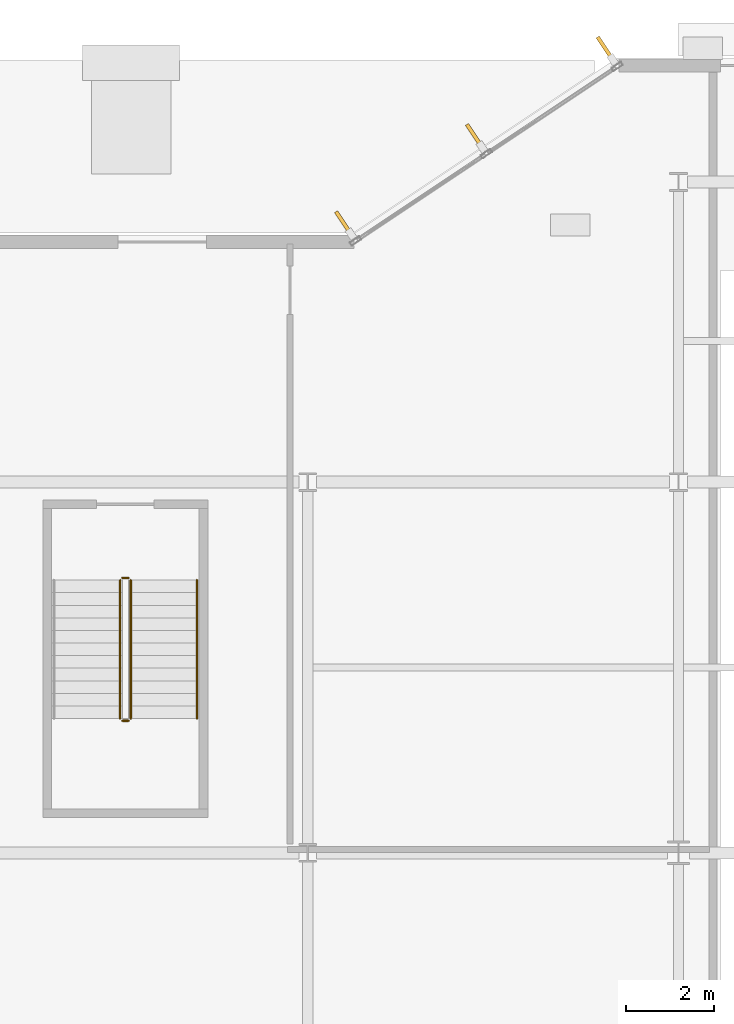
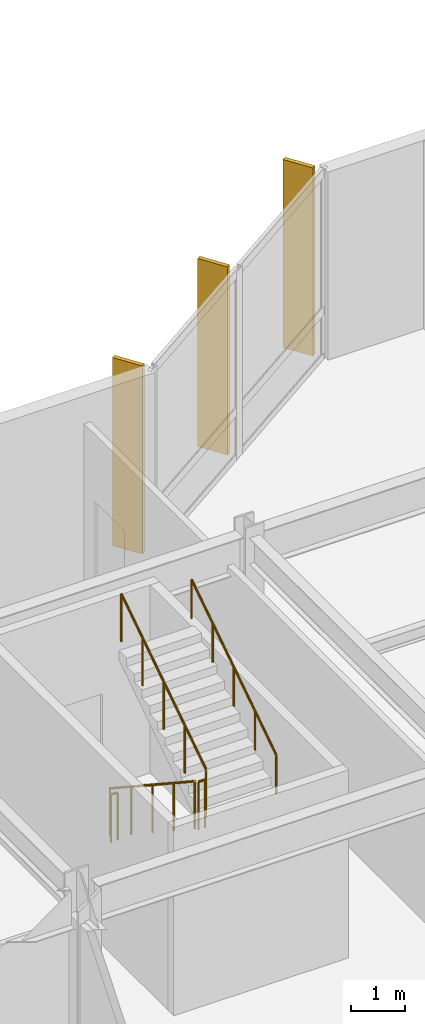
# One storey, part 23 of 26: 5 railings, 3 shading devices.
"""IFC4 building model written with IfcOpenShell, lengths in metres."""

from ifc_helpers import new_model, si_unit, direction, frame, origin, origin_2d, place, context, subcontext, project, spatial, rectangle, circle, extrude, material, layer, layer_set, type_object, element, save


model = new_model("IFC4")

# Units and contexts
model_context = context("Model", 3, precision=1e-05, world=origin(), true_north=direction((0.0, 1.0)))
body_context = subcontext(model_context, "Body", "Model", "MODEL_VIEW")
ifc_project = project(units=[si_unit("LENGTHUNIT", "METRE"), si_unit("AREAUNIT", "SQUARE_METRE"), si_unit("VOLUMEUNIT", "CUBIC_METRE"), si_unit("PLANEANGLEUNIT", "RADIAN"), si_unit("MASSUNIT", "GRAM", prefix="KILO")], contexts=[model_context])

# Site, building, storey
site_placement = place(None, origin())
site = spatial("IfcSite", under=ifc_project, at=site_placement, CompositionType="ELEMENT")
building_placement = place(site_placement, origin())
building = spatial("IfcBuilding", under=site, at=building_placement, Name="Varnakote Quay Hospital", CompositionType="ELEMENT")
storey_placement = place(building_placement, origin())
storey = spatial("IfcBuildingStorey", under=building, at=storey_placement, Name="L00", CompositionType="ELEMENT", Elevation=0.0)

# Railings
ifc_material_1 = material(Name="Brushed stainless steel balustrade", Category="steel")
railing_type_1 = type_object("IfcRailingType", Name="RLG-STAIR-GUARD-1150", PredefinedType="GUARDRAIL", material=ifc_material_1)
railing_1_placement = place(storey_placement, frame((37.75, 34.97998046875, 0.1875)))
element("IfcRailing", 1, at=railing_1_placement, inside=storey, type_object=railing_type_1, Name="L00 ST-05 stair guard 1", PredefinedType="GUARDRAIL", context=body_context, shape_type="SweptSolid", body=[
    extrude(circle(Radius=0.02392578125, at=origin_2d()), frame((0.0, 0.0, 1.076171875), z_axis=(0.0, -0.835417868355, 0.549615306585), x_axis=(1.0, 0.0, 0.0)), (0.0, 0.0, 1.0), 3.752685546875),
    extrude(circle(Radius=0.02099609375, at=origin_2d()), origin(), (0.0, 0.0, 1.0), 1.052001953125),
    extrude(circle(Radius=0.02099609375, at=origin_2d()), frame((0.0, -0.78369140625, 0.515625)), (0.0, 0.0, 1.0), 1.052001953125),
    extrude(circle(Radius=0.02099609375, at=origin_2d()), frame((0.0, -1.5673828125, 1.03125)), (0.0, 0.0, 1.0), 1.052001953125),
    extrude(circle(Radius=0.02099609375, at=origin_2d()), frame((0.0, -2.351318359375, 1.546875)), (0.0, 0.0, 1.0), 1.052001953125),
    extrude(circle(Radius=0.02099609375, at=origin_2d()), frame((0.0, -3.135009765625, 2.0625)), (0.0, 0.0, 1.0), 1.052001953125),
])
railing_2_placement = place(storey_placement, frame((37.800048828125, 31.794921875, 2.25)))
element("IfcRailing", 2, at=railing_2_placement, inside=storey, type_object=railing_type_1, Name="L00 ST-05 stair guard 2", PredefinedType="GUARDRAIL", context=body_context, shape_type="SweptSolid", body=[
    extrude(circle(Radius=0.02392578125, at=origin_2d()), frame((0.0, 0.0, 1.076171875), z_axis=(1.0, 0.0, 0.0), x_axis=(0.0, 1.0, 0.0)), (0.0, 0.0, 1.0), 0.139892578125),
    extrude(circle(Radius=0.02099609375, at=origin_2d()), origin(), (0.0, 0.0, 1.0), 1.052001953125),
    extrude(circle(Radius=0.02099609375, at=origin_2d()), frame((0.139892578125, 0.0, 0.0)), (0.0, 0.0, 1.0), 1.052001953125),
])
railing_3_placement = place(storey_placement, frame((37.989990234375, 31.844970703125, 2.4375)))
element("IfcRailing", 3, at=railing_3_placement, inside=storey, type_object=railing_type_1, Name="L00 ST-05 stair guard 3", PredefinedType="GUARDRAIL", context=body_context, shape_type="SweptSolid", body=[
    extrude(circle(Radius=0.02392578125, at=origin_2d()), frame((0.0, 0.0, 1.076171875), z_axis=(0.0, 0.835417868355, 0.549615306585), x_axis=(-1.0, 0.0, 0.0)), (0.0, 0.0, 1.0), 3.752685546875),
    extrude(circle(Radius=0.02099609375, at=origin_2d()), origin(), (0.0, 0.0, 1.0), 1.052001953125),
    extrude(circle(Radius=0.02099609375, at=origin_2d()), frame((0.0, 0.78369140625, 0.515625)), (0.0, 0.0, 1.0), 1.052001953125),
    extrude(circle(Radius=0.02099609375, at=origin_2d()), frame((0.0, 1.5673828125, 1.03125)), (0.0, 0.0, 1.0), 1.052001953125),
    extrude(circle(Radius=0.02099609375, at=origin_2d()), frame((0.0, 2.351318359375, 1.546875)), (0.0, 0.0, 1.0), 1.052001953125),
    extrude(circle(Radius=0.02099609375, at=origin_2d()), frame((0.0, 3.135009765625, 2.0625)), (0.0, 0.0, 1.0), 1.052001953125),
])
railing_4_placement = place(storey_placement, frame((37.800048828125, 35.030029296875, 0.0)))
element("IfcRailing", 4, at=railing_4_placement, inside=storey, type_object=railing_type_1, Name="L00 ST-05 stair guard 4", PredefinedType="GUARDRAIL", context=body_context, shape_type="SweptSolid", body=[
    extrude(circle(Radius=0.02392578125, at=origin_2d()), frame((0.0, 0.0, 1.076171875), z_axis=(1.0, 0.0, 0.0), x_axis=(0.0, 1.0, 0.0)), (0.0, 0.0, 1.0), 0.139892578125),
    extrude(circle(Radius=0.02099609375, at=origin_2d()), origin(), (0.0, 0.0, 1.0), 1.052001953125),
    extrude(circle(Radius=0.02099609375, at=origin_2d()), frame((0.139892578125, 0.0, 0.0)), (0.0, 0.0, 1.0), 1.052001953125),
])
ifc_material_2 = material(Name="Brushed stainless steel handrail", Category="steel")
railing_type_2 = type_object("IfcRailingType", Name="RLG-STAIR-HND-920", PredefinedType="HANDRAIL", material=ifc_material_2)
railing_5_placement = place(storey_placement, frame((39.489990234375, 31.844970703125, 2.4375)))
element("IfcRailing", 5, at=railing_5_placement, inside=storey, type_object=railing_type_2, Name="L00 ST-05 stair handrail 2", PredefinedType="HANDRAIL", context=body_context, shape_type="SweptSolid", body=[
    extrude(circle(Radius=0.02392578125, at=origin_2d()), frame((0.0, 0.0, 0.8759765625), z_axis=(0.0, 0.835417868355, 0.549615306585), x_axis=(-1.0, 0.0, 0.0)), (0.0, 0.0, 1.0), 3.752685546875),
    extrude(circle(Radius=0.02099609375, at=origin_2d()), origin(), (0.0, 0.0, 1.0), 0.851806640625),
    extrude(circle(Radius=0.02099609375, at=origin_2d()), frame((0.0, 0.78369140625, 0.515625)), (0.0, 0.0, 1.0), 0.851806640625),
    extrude(circle(Radius=0.02099609375, at=origin_2d()), frame((0.0, 1.5673828125, 1.03125)), (0.0, 0.0, 1.0), 0.851806640625),
    extrude(circle(Radius=0.02099609375, at=origin_2d()), frame((0.0, 2.351318359375, 1.546875)), (0.0, 0.0, 1.0), 0.851806640625),
    extrude(circle(Radius=0.02099609375, at=origin_2d()), frame((0.0, 3.135009765625, 2.0625)), (0.0, 0.0, 1.0), 0.851806640625),
])

# Shading devices
ifc_material_3 = material(Name="Anodised aluminium 6063-T6 Bronze", Category="aluminium")
ifc_layer = layer(ifc_material_3, 0.0849609375)
ifc_layer_set = layer_set([ifc_layer], Name="Anodised aluminium 6063-T6 Bronze")
shading_device_type = type_object("IfcShadingDeviceType", Name="SHD-BRONZE-FIN-620", PredefinedType="USERDEFINED", material=ifc_layer_set)
for number, where, z_axis, x_axis, name in (
    (6, (48.7412109375, 47.024169921875, 0.0), (0.0, 0.0, 1.0), (0.554699215611, -0.83205094808, 0.0), "L00 Anodised Bronze Vertical Shading FIN"),
    (7, (45.776611328125, 45.047607421875, 0.0), (0.0, 0.0, 1.0), (0.554699215611, -0.83205094808, 0.0), "L00 Anodised Bronze Vertical Shading FIN"),
    (8, (42.81201171875, 43.0712890625, 0.0), (0.0, 0.0, 1.0), (0.554699215611, -0.83205094808, 0.0), "L00 Anodised Bronze Vertical Shading FIN"),
):
    element("IfcShadingDevice", number, at=place(storey_placement, frame(where, z_axis=z_axis, x_axis=x_axis)), inside=storey, type_object=shading_device_type, Name=name, ObjectType="FIN", PredefinedType="USERDEFINED", context=body_context, shape_type="SweptSolid", body=[
        extrude(rectangle(XDim=0.6201171875, YDim=0.0849609375, at=origin_2d()), origin(), (0.0, 0.0, 1.0), 4.25),
    ])

save(model, "model.ifc")
